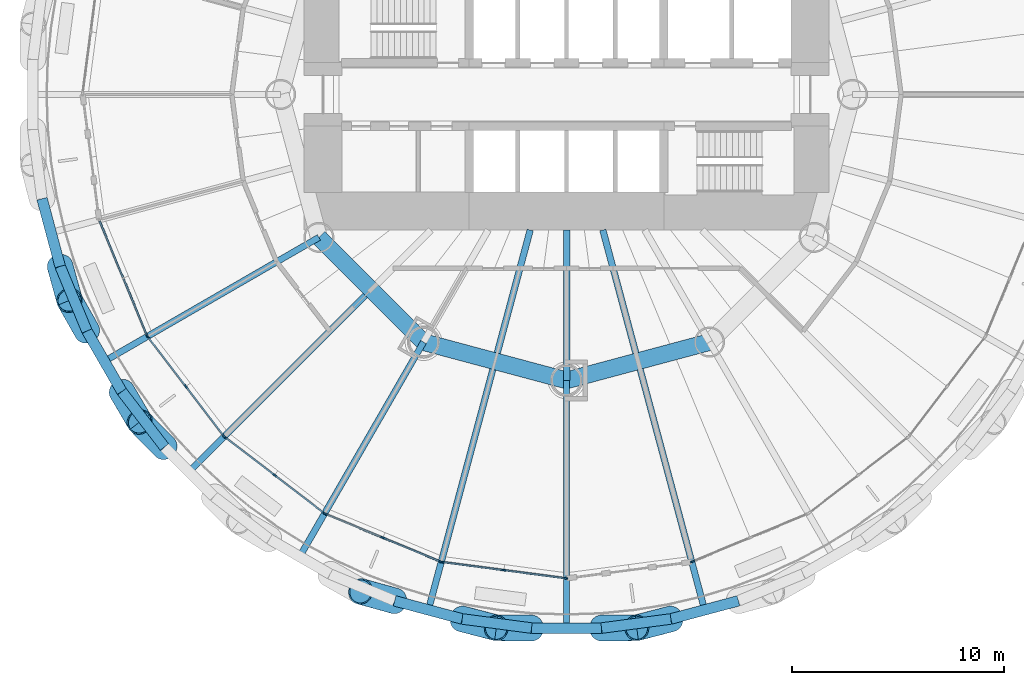
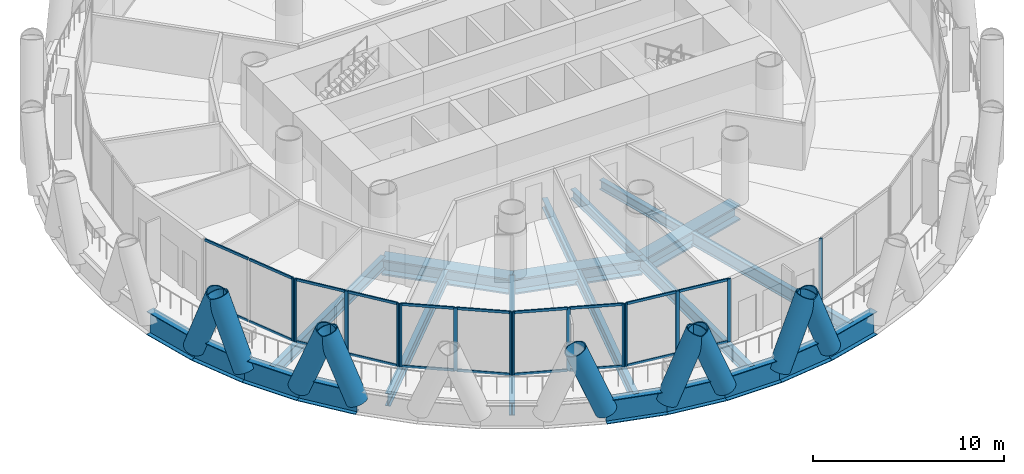
# One storey, part 2 of 16: 43 members, 21 beams, 6 elements without a shape of their own.
"""IFC4 building model written with IfcOpenShell, lengths in metres."""

from ifc_helpers import new_model, si_unit, direction, frame, origin, origin_2d, place, context, subcontext, project, spatial, rectangle, hollow_circle, i_section, extrude, material, material_profile, profile_set, type_object, element, aggregate, save


model = new_model("IFC4")

# Units and contexts
model_context = context("Model", 3, precision=1e-05, world=origin(), true_north=direction((0.0, 1.0)))
body_context = subcontext(model_context, "Body", "Model", "MODEL_VIEW")
ifc_project = project(units=[si_unit("LENGTHUNIT", "METRE"), si_unit("AREAUNIT", "SQUARE_METRE"), si_unit("VOLUMEUNIT", "CUBIC_METRE"), si_unit("PLANEANGLEUNIT", "RADIAN"), si_unit("MASSUNIT", "GRAM", prefix="KILO")], contexts=[model_context])

# Site, building, storey
site_placement = place(None, origin())
site = spatial("IfcSite", under=ifc_project, at=site_placement, CompositionType="ELEMENT")
building_placement = place(site_placement, origin())
building = spatial("IfcBuilding", under=site, at=building_placement, Name="Qaws Media Tower", CompositionType="ELEMENT")
storey_placement = place(building_placement, frame((0.0, 0.0, 63.800048828125)))
storey = spatial("IfcBuildingStorey", under=building, at=storey_placement, Name="L13", CompositionType="ELEMENT", Elevation=63.800048828125)

# Curtain wall, member
ifc_material_1 = material(Name="Aluminium and clear glass", Category="aluminium")
curtain_wall_type = type_object("IfcCurtainWallType", Name="Unitised curtain wall CW-A", PredefinedType="NOTDEFINED", material=ifc_material_1)
curtain_wall_1_placement = place(storey_placement, origin())
curtain_wall_1 = element("IfcCurtainWall", 1, at=curtain_wall_1_placement, inside=storey, type_object=curtain_wall_type, Name="CWA curtain wall L13-14", PredefinedType="NOTDEFINED")
ifc_material_2 = material(Name="Aluminium mullion", Category="aluminium")
ifc_material_profile_1 = material_profile(ifc_material_2, rectangle(XDim=0.080078125, YDim=0.199951171875, at=origin_2d()), Name="80x200")
ifc_profile_set_1 = profile_set([ifc_material_profile_1], Name="Aluminium mullion")
member_type_1 = type_object("IfcMemberType", Name="Curtain wall mullion 80x200", PredefinedType="MULLION", material=ifc_profile_set_1)
member_1_placement = place(storey_placement, frame((40.196044921875, 38.612060546875, 0.0), z_axis=(0.0, 0.0, 1.0), x_axis=(0.923879516448, 0.382683471145, 0.0)))
member_1 = element("IfcMember", 2, at=member_1_placement, type_object=member_type_1, Name="CWA mullion 3", PredefinedType="MULLION", context=body_context, shape_type="SweptSolid", body=[
    extrude(rectangle(XDim=0.080078125, YDim=0.199951171875, at=origin_2d()), origin(), (0.0, 0.0, 1.0), 4.0400390625),
])

# Curtain wall, members
curtain_wall_2_placement = place(storey_placement, origin())
curtain_wall_2 = element("IfcCurtainWall", 3, at=curtain_wall_2_placement, inside=storey, type_object=curtain_wall_type, Name="CWA curtain wall L13-15", PredefinedType="NOTDEFINED")
member_2_placement = place(storey_placement, frame((40.235595703125, 38.543212890625, 0.0), z_axis=(0.0, 0.0, 1.0), x_axis=(0.79335338601, 0.608761369427, 0.0)))
member_2 = element("IfcMember", 4, at=member_2_placement, type_object=member_type_1, Name="CWA mullion 1", PredefinedType="MULLION", context=body_context, shape_type="SweptSolid", body=[
    extrude(rectangle(XDim=0.080078125, YDim=0.199951171875, at=origin_2d()), origin(), (0.0, 0.0, 1.0), 4.0400390625),
])
member_3_placement = place(storey_placement, frame((42.02685546875, 36.208740234375, 0.0), z_axis=(0.0, 0.0, 1.0), x_axis=(0.79335338601, 0.608761369427, 0.0)))
member_3 = element("IfcMember", 5, at=member_3_placement, type_object=member_type_1, Name="CWA mullion 2", PredefinedType="MULLION", context=body_context, shape_type="SweptSolid", body=[
    extrude(rectangle(XDim=0.080078125, YDim=0.199951171875, at=origin_2d()), origin(), (0.0, 0.0, 1.0), 4.0400390625),
])
member_4_placement = place(storey_placement, frame((43.818359375, 33.874267578125, 0.0), z_axis=(0.0, 0.0, 1.0), x_axis=(0.79335338601, 0.608761369427, 0.0)))
member_4 = element("IfcMember", 6, at=member_4_placement, type_object=member_type_1, Name="CWA mullion 3", PredefinedType="MULLION", context=body_context, shape_type="SweptSolid", body=[
    extrude(rectangle(XDim=0.080078125, YDim=0.199951171875, at=origin_2d()), origin(), (0.0, 0.0, 1.0), 4.0400390625),
])

curtain_wall_3_placement = place(storey_placement, origin())
curtain_wall_3 = element("IfcCurtainWall", 7, at=curtain_wall_3_placement, inside=storey, type_object=curtain_wall_type, Name="CWA curtain wall L13-16", PredefinedType="NOTDEFINED")
member_5_placement = place(storey_placement, frame((43.874267578125, 33.818359375, 0.0), z_axis=(0.0, 0.0, 1.0), x_axis=(0.608761369427, 0.79335338601, 0.0)))
member_5 = element("IfcMember", 8, at=member_5_placement, type_object=member_type_1, Name="CWA mullion 1", PredefinedType="MULLION", context=body_context, shape_type="SweptSolid", body=[
    extrude(rectangle(XDim=0.080078125, YDim=0.199951171875, at=origin_2d()), origin(), (0.0, 0.0, 1.0), 4.0400390625),
])
member_6_placement = place(storey_placement, frame((46.208740234375, 32.02685546875, 0.0), z_axis=(0.0, 0.0, 1.0), x_axis=(0.608761369427, 0.79335338601, 0.0)))
member_6 = element("IfcMember", 9, at=member_6_placement, type_object=member_type_1, Name="CWA mullion 2", PredefinedType="MULLION", context=body_context, shape_type="SweptSolid", body=[
    extrude(rectangle(XDim=0.080078125, YDim=0.199951171875, at=origin_2d()), origin(), (0.0, 0.0, 1.0), 4.0400390625),
])
member_7_placement = place(storey_placement, frame((48.543212890625, 30.235595703125, 0.0), z_axis=(0.0, 0.0, 1.0), x_axis=(0.608761369427, 0.79335338601, 0.0)))
member_7 = element("IfcMember", 10, at=member_7_placement, type_object=member_type_1, Name="CWA mullion 3", PredefinedType="MULLION", context=body_context, shape_type="SweptSolid", body=[
    extrude(rectangle(XDim=0.080078125, YDim=0.199951171875, at=origin_2d()), origin(), (0.0, 0.0, 1.0), 4.0400390625),
])

curtain_wall_4_placement = place(storey_placement, origin())
curtain_wall_4 = element("IfcCurtainWall", 11, at=curtain_wall_4_placement, inside=storey, type_object=curtain_wall_type, Name="CWA curtain wall L13-17", PredefinedType="NOTDEFINED")
member_8_placement = place(storey_placement, frame((48.612060546875, 30.196044921875, 0.0), z_axis=(0.0, 0.0, 1.0), x_axis=(0.382683471145, 0.923879516448, 0.0)))
member_8 = element("IfcMember", 12, at=member_8_placement, type_object=member_type_1, Name="CWA mullion 1", PredefinedType="MULLION", context=body_context, shape_type="SweptSolid", body=[
    extrude(rectangle(XDim=0.080078125, YDim=0.199951171875, at=origin_2d()), origin(), (0.0, 0.0, 1.0), 4.0400390625),
])
member_9_placement = place(storey_placement, frame((51.33056640625, 29.070068359375, 0.0), z_axis=(0.0, 0.0, 1.0), x_axis=(0.382683471145, 0.923879516448, 0.0)))
member_9 = element("IfcMember", 13, at=member_9_placement, type_object=member_type_1, Name="CWA mullion 2", PredefinedType="MULLION", context=body_context, shape_type="SweptSolid", body=[
    extrude(rectangle(XDim=0.080078125, YDim=0.199951171875, at=origin_2d()), origin(), (0.0, 0.0, 1.0), 4.0400390625),
])
member_10_placement = place(storey_placement, frame((54.049072265625, 27.94384765625, 0.0), z_axis=(0.0, 0.0, 1.0), x_axis=(0.382683471145, 0.923879516448, 0.0)))
member_10 = element("IfcMember", 14, at=member_10_placement, type_object=member_type_1, Name="CWA mullion 3", PredefinedType="MULLION", context=body_context, shape_type="SweptSolid", body=[
    extrude(rectangle(XDim=0.080078125, YDim=0.199951171875, at=origin_2d()), origin(), (0.0, 0.0, 1.0), 4.0400390625),
])

curtain_wall_5_placement = place(storey_placement, origin())
curtain_wall_5 = element("IfcCurtainWall", 15, at=curtain_wall_5_placement, inside=storey, type_object=curtain_wall_type, Name="CWA curtain wall L13-18", PredefinedType="NOTDEFINED")
member_11_placement = place(storey_placement, frame((54.125732421875, 27.92333984375, 0.0), z_axis=(0.0, 0.0, 1.0), x_axis=(0.130526217674, 0.991444858023, 0.0)))
member_11 = element("IfcMember", 16, at=member_11_placement, type_object=member_type_1, Name="CWA mullion 1", PredefinedType="MULLION", context=body_context, shape_type="SweptSolid", body=[
    extrude(rectangle(XDim=0.080078125, YDim=0.199951171875, at=origin_2d()), origin(), (0.0, 0.0, 1.0), 4.0400390625),
])
member_12_placement = place(storey_placement, frame((57.04296875, 27.539306640625, 0.0), z_axis=(0.0, 0.0, 1.0), x_axis=(0.130526217674, 0.991444858023, 0.0)))
member_12 = element("IfcMember", 17, at=member_12_placement, type_object=member_type_1, Name="CWA mullion 2", PredefinedType="MULLION", context=body_context, shape_type="SweptSolid", body=[
    extrude(rectangle(XDim=0.080078125, YDim=0.199951171875, at=origin_2d()), origin(), (0.0, 0.0, 1.0), 4.0400390625),
])
member_13_placement = place(storey_placement, frame((59.96044921875, 27.1552734375, 0.0), z_axis=(0.0, 0.0, 1.0), x_axis=(0.130526217674, 0.991444858023, 0.0)))
member_13 = element("IfcMember", 18, at=member_13_placement, type_object=member_type_1, Name="CWA mullion 3", PredefinedType="MULLION", context=body_context, shape_type="SweptSolid", body=[
    extrude(rectangle(XDim=0.080078125, YDim=0.199951171875, at=origin_2d()), origin(), (0.0, 0.0, 1.0), 4.0400390625),
])

# Curtain wall, member
curtain_wall_6_placement = place(storey_placement, origin())
curtain_wall_6 = element("IfcCurtainWall", 19, at=curtain_wall_6_placement, inside=storey, type_object=curtain_wall_type, Name="CWA curtain wall L13-20", PredefinedType="NOTDEFINED")
member_14_placement = place(storey_placement, frame((65.950927734375, 27.94384765625, 0.0), z_axis=(0.0, 0.0, 1.0), x_axis=(-0.382683471145, 0.923879516448, 0.0)))
member_14 = element("IfcMember", 20, at=member_14_placement, type_object=member_type_1, Name="CWA mullion 1", PredefinedType="MULLION", context=body_context, shape_type="SweptSolid", body=[
    extrude(rectangle(XDim=0.080078125, YDim=0.199951171875, at=origin_2d()), origin(), (0.0, 0.0, 1.0), 4.0400390625),
])
aggregate(curtain_wall_6, [member_14])

# Member
ifc_material_3 = material(Name="Aluminium transom", Category="aluminium")
ifc_material_profile_2 = material_profile(ifc_material_3, rectangle(XDim=0.080078125, YDim=0.159912109375, at=origin_2d()), Name="80x160")
ifc_profile_set_2 = profile_set([ifc_material_profile_2], Name="Aluminium transom")
member_type_2 = type_object("IfcMemberType", Name="Curtain wall transom 80x160", PredefinedType="USERDEFINED", material=ifc_profile_set_2)
member_15_placement = place(storey_placement, frame((37.959228515625, 44.011962890625, 0.0400390625), z_axis=(0.382700809207, -0.923872334596, 0.0), x_axis=(0.923872334596, 0.382700809207, 0.0)))
member_15 = element("IfcMember", 21, at=member_15_placement, type_object=member_type_2, Name="CWA transom 1.1", ObjectType="TRANSOM", PredefinedType="USERDEFINED", context=body_context, shape_type="SweptSolid", body=[
    extrude(rectangle(XDim=0.080078125, YDim=0.159912109375, at=origin_2d()), origin(), (0.0, 0.0, 1.0), 2.862548828125),
])

member_16_placement = place(storey_placement, frame((37.959228515625, 44.011962890625, 4.0), z_axis=(0.382700809207, -0.923872334596, 0.0), x_axis=(0.923872334596, 0.382700809207, 0.0)))
member_16 = element("IfcMember", 22, at=member_16_placement, type_object=member_type_2, Name="CWA transom 1.2", ObjectType="TRANSOM", PredefinedType="USERDEFINED", context=body_context, shape_type="SweptSolid", body=[
    extrude(rectangle(XDim=0.080078125, YDim=0.159912109375, at=origin_2d()), origin(), (0.0, 0.0, 1.0), 2.862548828125),
])

member_17_placement = place(storey_placement, frame((39.085205078125, 41.29345703125, 0.0400390625), z_axis=(0.382700809207, -0.923872334596, 0.0), x_axis=(0.923872334596, 0.382700809207, 0.0)))
member_17 = element("IfcMember", 23, at=member_17_placement, type_object=member_type_2, Name="CWA transom 2.1", ObjectType="TRANSOM", PredefinedType="USERDEFINED", context=body_context, shape_type="SweptSolid", body=[
    extrude(rectangle(XDim=0.080078125, YDim=0.159912109375, at=origin_2d()), origin(), (0.0, 0.0, 1.0), 2.862548828125),
])

member_18_placement = place(storey_placement, frame((39.085205078125, 41.29345703125, 4.0), z_axis=(0.382700809207, -0.923872334596, 0.0), x_axis=(0.923872334596, 0.382700809207, 0.0)))
member_18 = element("IfcMember", 24, at=member_18_placement, type_object=member_type_2, Name="CWA transom 2.2", ObjectType="TRANSOM", PredefinedType="USERDEFINED", context=body_context, shape_type="SweptSolid", body=[
    extrude(rectangle(XDim=0.080078125, YDim=0.159912109375, at=origin_2d()), origin(), (0.0, 0.0, 1.0), 2.862548828125),
])

aggregate(curtain_wall_1, [member_1, member_15, member_16, member_17, member_18])

member_19_placement = place(storey_placement, frame((40.260009765625, 38.511474609375, 0.0400390625), z_axis=(0.608778840543, -0.793339979648, 0.0), x_axis=(0.793339979648, 0.608778840543, 0.0)))
member_19 = element("IfcMember", 25, at=member_19_placement, type_object=member_type_2, Name="CWA transom 1.1", ObjectType="TRANSOM", PredefinedType="USERDEFINED", context=body_context, shape_type="SweptSolid", body=[
    extrude(rectangle(XDim=0.080078125, YDim=0.159912109375, at=origin_2d()), origin(), (0.0, 0.0, 1.0), 2.862548828125),
])

member_20_placement = place(storey_placement, frame((40.260009765625, 38.511474609375, 4.0), z_axis=(0.608778840543, -0.793339979648, 0.0), x_axis=(0.793339979648, 0.608778840543, 0.0)))
member_20 = element("IfcMember", 26, at=member_20_placement, type_object=member_type_2, Name="CWA transom 1.2", ObjectType="TRANSOM", PredefinedType="USERDEFINED", context=body_context, shape_type="SweptSolid", body=[
    extrude(rectangle(XDim=0.080078125, YDim=0.159912109375, at=origin_2d()), origin(), (0.0, 0.0, 1.0), 2.862548828125),
])

member_21_placement = place(storey_placement, frame((42.05126953125, 36.177001953125, 0.0400390625), z_axis=(0.608778840543, -0.793339979648, 0.0), x_axis=(0.793339979648, 0.608778840543, 0.0)))
member_21 = element("IfcMember", 27, at=member_21_placement, type_object=member_type_2, Name="CWA transom 2.1", ObjectType="TRANSOM", PredefinedType="USERDEFINED", context=body_context, shape_type="SweptSolid", body=[
    extrude(rectangle(XDim=0.080078125, YDim=0.159912109375, at=origin_2d()), origin(), (0.0, 0.0, 1.0), 2.862548828125),
])

member_22_placement = place(storey_placement, frame((42.05126953125, 36.177001953125, 4.0), z_axis=(0.608778840543, -0.793339979648, 0.0), x_axis=(0.793339979648, 0.608778840543, 0.0)))
member_22 = element("IfcMember", 28, at=member_22_placement, type_object=member_type_2, Name="CWA transom 2.2", ObjectType="TRANSOM", PredefinedType="USERDEFINED", context=body_context, shape_type="SweptSolid", body=[
    extrude(rectangle(XDim=0.080078125, YDim=0.159912109375, at=origin_2d()), origin(), (0.0, 0.0, 1.0), 2.862548828125),
])

aggregate(curtain_wall_2, [member_2, member_3, member_4, member_19, member_20, member_21, member_22])

member_23_placement = place(storey_placement, frame((43.906005859375, 33.7939453125, 0.0400390625), z_axis=(0.793339979648, -0.608778840543, 0.0), x_axis=(0.608778840543, 0.793339979648, 0.0)))
member_23 = element("IfcMember", 29, at=member_23_placement, type_object=member_type_2, Name="CWA transom 1.1", ObjectType="TRANSOM", PredefinedType="USERDEFINED", context=body_context, shape_type="SweptSolid", body=[
    extrude(rectangle(XDim=0.080078125, YDim=0.159912109375, at=origin_2d()), origin(), (0.0, 0.0, 1.0), 2.862548828125),
])

member_24_placement = place(storey_placement, frame((43.906005859375, 33.7939453125, 4.0), z_axis=(0.793339979648, -0.608778840543, 0.0), x_axis=(0.608778840543, 0.793339979648, 0.0)))
member_24 = element("IfcMember", 30, at=member_24_placement, type_object=member_type_2, Name="CWA transom 1.2", ObjectType="TRANSOM", PredefinedType="USERDEFINED", context=body_context, shape_type="SweptSolid", body=[
    extrude(rectangle(XDim=0.080078125, YDim=0.159912109375, at=origin_2d()), origin(), (0.0, 0.0, 1.0), 2.862548828125),
])

member_25_placement = place(storey_placement, frame((46.240478515625, 32.002685546875, 0.0400390625), z_axis=(0.793339979648, -0.608778840543, 0.0), x_axis=(0.608778840543, 0.793339979648, 0.0)))
member_25 = element("IfcMember", 31, at=member_25_placement, type_object=member_type_2, Name="CWA transom 2.1", ObjectType="TRANSOM", PredefinedType="USERDEFINED", context=body_context, shape_type="SweptSolid", body=[
    extrude(rectangle(XDim=0.080078125, YDim=0.159912109375, at=origin_2d()), origin(), (0.0, 0.0, 1.0), 2.862548828125),
])

member_26_placement = place(storey_placement, frame((46.240478515625, 32.002685546875, 4.0), z_axis=(0.793339979648, -0.608778840543, 0.0), x_axis=(0.608778840543, 0.793339979648, 0.0)))
member_26 = element("IfcMember", 32, at=member_26_placement, type_object=member_type_2, Name="CWA transom 2.2", ObjectType="TRANSOM", PredefinedType="USERDEFINED", context=body_context, shape_type="SweptSolid", body=[
    extrude(rectangle(XDim=0.080078125, YDim=0.159912109375, at=origin_2d()), origin(), (0.0, 0.0, 1.0), 2.862548828125),
])

aggregate(curtain_wall_3, [member_5, member_6, member_7, member_23, member_24, member_25, member_26])

member_27_placement = place(storey_placement, frame((48.64892578125, 30.1806640625, 0.0400390625), z_axis=(0.923872334596, -0.382700809207, 0.0), x_axis=(0.382700809207, 0.923872334596, 0.0)))
member_27 = element("IfcMember", 33, at=member_27_placement, type_object=member_type_2, Name="CWA transom 1.1", ObjectType="TRANSOM", PredefinedType="USERDEFINED", context=body_context, shape_type="SweptSolid", body=[
    extrude(rectangle(XDim=0.080078125, YDim=0.159912109375, at=origin_2d()), origin(), (0.0, 0.0, 1.0), 2.862548828125),
])

member_28_placement = place(storey_placement, frame((48.64892578125, 30.1806640625, 4.0), z_axis=(0.923872334596, -0.382700809207, 0.0), x_axis=(0.382700809207, 0.923872334596, 0.0)))
member_28 = element("IfcMember", 34, at=member_28_placement, type_object=member_type_2, Name="CWA transom 1.2", ObjectType="TRANSOM", PredefinedType="USERDEFINED", context=body_context, shape_type="SweptSolid", body=[
    extrude(rectangle(XDim=0.080078125, YDim=0.159912109375, at=origin_2d()), origin(), (0.0, 0.0, 1.0), 2.862548828125),
])

member_29_placement = place(storey_placement, frame((51.367431640625, 29.0546875, 0.0400390625), z_axis=(0.923872334596, -0.382700809207, 0.0), x_axis=(0.382700809207, 0.923872334596, 0.0)))
member_29 = element("IfcMember", 35, at=member_29_placement, type_object=member_type_2, Name="CWA transom 2.1", ObjectType="TRANSOM", PredefinedType="USERDEFINED", context=body_context, shape_type="SweptSolid", body=[
    extrude(rectangle(XDim=0.080078125, YDim=0.159912109375, at=origin_2d()), origin(), (0.0, 0.0, 1.0), 2.862548828125),
])

member_30_placement = place(storey_placement, frame((51.367431640625, 29.0546875, 4.0), z_axis=(0.923872334596, -0.382700809207, 0.0), x_axis=(0.382700809207, 0.923872334596, 0.0)))
member_30 = element("IfcMember", 36, at=member_30_placement, type_object=member_type_2, Name="CWA transom 2.2", ObjectType="TRANSOM", PredefinedType="USERDEFINED", context=body_context, shape_type="SweptSolid", body=[
    extrude(rectangle(XDim=0.080078125, YDim=0.159912109375, at=origin_2d()), origin(), (0.0, 0.0, 1.0), 2.862548828125),
])

aggregate(curtain_wall_4, [member_8, member_9, member_10, member_27, member_28, member_29, member_30])

member_31_placement = place(storey_placement, frame((54.165283203125, 27.918212890625, 0.0400390625), z_axis=(0.991438903663, -0.130571437549, 0.0), x_axis=(0.130571437549, 0.991438903663, 0.0)))
member_31 = element("IfcMember", 37, at=member_31_placement, type_object=member_type_2, Name="CWA transom 1.1", ObjectType="TRANSOM", PredefinedType="USERDEFINED", context=body_context, shape_type="SweptSolid", body=[
    extrude(rectangle(XDim=0.080078125, YDim=0.159912109375, at=origin_2d()), origin(), (0.0, 0.0, 1.0), 2.862548828125),
])

member_32_placement = place(storey_placement, frame((54.165283203125, 27.918212890625, 4.0), z_axis=(0.991438903663, -0.130571437549, 0.0), x_axis=(0.130571437549, 0.991438903663, 0.0)))
member_32 = element("IfcMember", 38, at=member_32_placement, type_object=member_type_2, Name="CWA transom 1.2", ObjectType="TRANSOM", PredefinedType="USERDEFINED", context=body_context, shape_type="SweptSolid", body=[
    extrude(rectangle(XDim=0.080078125, YDim=0.159912109375, at=origin_2d()), origin(), (0.0, 0.0, 1.0), 2.862548828125),
])

member_33_placement = place(storey_placement, frame((57.082763671875, 27.5341796875, 0.0400390625), z_axis=(0.991437449462, -0.130582478934, 0.0), x_axis=(0.130582478934, 0.991437449462, 0.0)))
member_33 = element("IfcMember", 39, at=member_33_placement, type_object=member_type_2, Name="CWA transom 2.1", ObjectType="TRANSOM", PredefinedType="USERDEFINED", context=body_context, shape_type="SweptSolid", body=[
    extrude(rectangle(XDim=0.080078125, YDim=0.159912109375, at=origin_2d()), origin(), (0.0, 0.0, 1.0), 2.8623046875),
])

member_34_placement = place(storey_placement, frame((57.082763671875, 27.5341796875, 4.0), z_axis=(0.991437449462, -0.130582478934, 0.0), x_axis=(0.130582478934, 0.991437449462, 0.0)))
member_34 = element("IfcMember", 40, at=member_34_placement, type_object=member_type_2, Name="CWA transom 2.2", ObjectType="TRANSOM", PredefinedType="USERDEFINED", context=body_context, shape_type="SweptSolid", body=[
    extrude(rectangle(XDim=0.080078125, YDim=0.159912109375, at=origin_2d()), origin(), (0.0, 0.0, 1.0), 2.8623046875),
])

aggregate(curtain_wall_5, [member_11, member_12, member_13, member_31, member_32, member_33, member_34])

# Members
ifc_material_4 = material(Name="Steel S460", Category="steel")
ifc_material_profile_3 = material_profile(ifc_material_4, hollow_circle(Radius=0.609619140625, WallThickness=0.06005859375, at=origin_2d()), Name="CHS 1219x60")
ifc_profile_set_3 = profile_set([ifc_material_profile_3], Name="Steel S460")
member_type_3 = type_object("IfcMemberType", Name="Diagrid member CHS 1219x60", PredefinedType="USERDEFINED", material=ifc_profile_set_3)
for number, where, z_axis, x_axis, name in (
    (41, (36.090087890625, 41.883544921875, -0.91015625), (0.098136755558, -0.354989178007, 0.929705254748), (0.96384720691, 0.266455553014, 0.0), "DG1 diagrid L13 A14"),
    (42, (39.00537109375, 35.971923828125, -0.91015625), (0.186704389496, -0.317532559387, 0.929685185787), (0.86202848257, 0.506859837862, 0.0), "DG1 diagrid L13 A15"),
    (43, (37.35400390625, 38.832275390625, -0.91015625), (-0.1816287215, 0.320403656582, 0.929705600916), (-0.869944554123, -0.493149544005, 0.0), "DG1 diagrid L13 B15"),
    (44, (41.01611328125, 33.3515625, -0.91015625), (-0.25836599958, 0.262473051655, 0.929706893282), (-0.712660482364, -0.701509113894, 0.0), "DG1 diagrid L13 B16"),
    (45, (55.073974609375, 25.235107421875, -0.91015625), (0.356503177963, -0.09246277664, 0.929707544897), (0.251053816316, 0.967973130471, 0.0), "DG1 diagrid L13 A18"),
    (46, (51.883544921875, 26.090087890625, -0.91015625), (-0.354989178007, 0.098136755558, 0.929705254748), (-0.266455553014, -0.96384720691, 0.0), "DG1 diagrid L13 B18"),
    (47, (61.6513671875, 24.803955078125, -0.91015625), (0.368331015728, 0.002972154616, 0.929689963993), (-0.008068986134, 0.999967445201, 0.0), "DG1 diagrid L13 A19"),
    (48, (58.3486328125, 24.803955078125, -0.91015625), (-0.368331015728, 0.002972154616, 0.929689963993), (-0.008068986134, -0.999967445201, 0.0), "DG1 diagrid L13 B19"),
    (49, (64.926025390625, 25.235107421875, -0.91015625), (-0.356503177963, -0.09246277664, 0.929707544897), (0.251053816316, -0.967973130471, 0.0), "DG1 diagrid L13 B20"),
):
    element("IfcMember", number, at=place(storey_placement, frame(where, z_axis=z_axis, x_axis=x_axis)), inside=storey, type_object=member_type_3, Name=name, ObjectType="DIAGRID", PredefinedType="USERDEFINED", context=body_context, shape_type="SweptSolid", body=[
        extrude(hollow_circle(Radius=0.609619140625, WallThickness=0.06005859375, at=origin_2d()), origin(), (0.0, 0.0, 1.0), 4.517822265625),
    ])

# Beams
ifc_material_5 = material(Name="Steel S460", Category="steel")
ifc_material_profile_4 = material_profile(ifc_material_5, i_section(OverallWidth=0.5, OverallDepth=1.5, WebThickness=0.02001953125, FlangeThickness=0.0400390625, at=origin_2d()), Name="PG 1500x500")
ifc_profile_set_4 = profile_set([ifc_material_profile_4], Name="Steel S460")
beam_type_1 = type_object("IfcBeamType", Name="Edge ring beam PG 1500x500", PredefinedType="BEAM", material=ifc_profile_set_4)
beam_1_placement = place(storey_placement, frame((35.235107421875, 45.073974609375, -0.91015625), z_axis=(0.258849385643, -0.965917696055, 0.0), x_axis=(0.965917696055, 0.258849385643, 0.0)))
element("IfcBeam", 50, at=beam_1_placement, inside=storey, type_object=beam_type_1, Name="RB4 edge ring beam L13-26", PredefinedType="BEAM", context=body_context, shape_type="SweptSolid", body=[
    extrude(i_section(OverallWidth=0.5, OverallDepth=1.5, WebThickness=0.02001953125, FlangeThickness=0.0400390625, at=origin_2d()), origin(), (0.0, 0.0, 1.0), 3.302978515625),
])
for number, where, z_axis, x_axis, name in (
    (51, (36.090087890625, 41.883544921875, -0.91015625), (0.382693458177, -0.92387537962, 0.0), (0.92387537962, 0.382693458177, 0.0), "RB4 edge ring beam L13-27"),
    (52, (37.35400390625, 38.832275390625, -0.91015625), (0.499986929959, -0.866032949645, 0.0), (0.866032949645, 0.499986929959, 0.0), "RB4 edge ring beam L13-28"),
):
    element("IfcBeam", number, at=place(storey_placement, frame(where, z_axis=z_axis, x_axis=x_axis)), inside=storey, type_object=beam_type_1, Name=name, PredefinedType="BEAM", context=body_context, shape_type="SweptSolid", body=[
        extrude(i_section(OverallWidth=0.5, OverallDepth=1.5, WebThickness=0.02001953125, FlangeThickness=0.0400390625, at=origin_2d()), origin(), (0.0, 0.0, 1.0), 3.302734375),
    ])
for number, where, z_axis, x_axis, name in (
    (53, (39.00537109375, 35.971923828125, -0.91015625), (0.608774429392, -0.793343364577, 0.0), (0.793343364577, 0.608774429392, 0.0), "RB4 edge ring beam L13-29"),
    (54, (51.883544921875, 26.090087890625, -0.91015625), (0.965917696055, -0.258849385643, 0.0), (0.258849385643, 0.965917696055, 0.0), "RB4 edge ring beam L13-34"),
    (55, (55.073974609375, 25.235107421875, -0.91015625), (0.991443473841, -0.130536731142, 0.0), (0.130536731142, 0.991443473841, 0.0), "RB4 edge ring beam L13-35"),
):
    element("IfcBeam", number, at=place(storey_placement, frame(where, z_axis=z_axis, x_axis=x_axis)), inside=storey, type_object=beam_type_1, Name=name, PredefinedType="BEAM", context=body_context, shape_type="SweptSolid", body=[
        extrude(i_section(OverallWidth=0.5, OverallDepth=1.5, WebThickness=0.02001953125, FlangeThickness=0.0400390625, at=origin_2d()), origin(), (0.0, 0.0, 1.0), 3.302978515625),
    ])
beam_2_placement = place(storey_placement, frame((58.3486328125, 24.803955078125, -0.91015625), z_axis=(1.0, 0.0, 0.0), x_axis=(0.0, 1.0, 0.0)))
element("IfcBeam", 56, at=beam_2_placement, inside=storey, type_object=beam_type_1, Name="RB4 edge ring beam L13-36", PredefinedType="BEAM", context=body_context, shape_type="SweptSolid", body=[
    extrude(i_section(OverallWidth=0.5, OverallDepth=1.5, WebThickness=0.02001953125, FlangeThickness=0.0400390625, at=origin_2d()), origin(), (0.0, 0.0, 1.0), 3.302734375),
])
for number, where, z_axis, x_axis, name in (
    (57, (61.6513671875, 24.803955078125, -0.91015625), (0.991443473841, 0.130536731142, 0.0), (-0.130536731142, 0.991443473841, 0.0), "RB4 edge ring beam L13-37"),
    (58, (64.926025390625, 25.235107421875, -0.91015625), (0.965917696055, 0.258849385643, 0.0), (-0.258849385643, 0.965917696055, 0.0), "RB4 edge ring beam L13-38"),
):
    element("IfcBeam", number, at=place(storey_placement, frame(where, z_axis=z_axis, x_axis=x_axis)), inside=storey, type_object=beam_type_1, Name=name, PredefinedType="BEAM", context=body_context, shape_type="SweptSolid", body=[
        extrude(i_section(OverallWidth=0.5, OverallDepth=1.5, WebThickness=0.02001953125, FlangeThickness=0.0400390625, at=origin_2d()), origin(), (0.0, 0.0, 1.0), 3.302978515625),
    ])
ifc_material_6 = material(Name="Steel S460", Category="steel")
ifc_material_profile_5 = material_profile(ifc_material_6, i_section(OverallWidth=0.800048828125, OverallDepth=1.0, WebThickness=0.0400390625, FlangeThickness=0.10009765625, at=origin_2d()), Name="PG 1000x800")
ifc_profile_set_5 = profile_set([ifc_material_profile_5], Name="Steel S460")
beam_type_2 = type_object("IfcBeamType", Name="Inner ring girder PG 1000x800", PredefinedType="BEAM", material=ifc_profile_set_5)
beam_3_placement = place(storey_placement, frame((48.30859375, 43.25, -0.66015625), z_axis=(0.707106781187, -0.707106781187, 0.0), x_axis=(0.707106781187, 0.707106781187, 0.0)))
element("IfcBeam", 59, at=beam_3_placement, inside=storey, type_object=beam_type_2, Name="B3 inner ring beam L13 I08-I09", PredefinedType="BEAM", context=body_context, shape_type="SweptSolid", body=[
    extrude(i_section(OverallWidth=0.800048828125, OverallDepth=1.0, WebThickness=0.0400390625, FlangeThickness=0.10009765625, at=origin_2d()), origin(), (0.0, 0.0, 1.0), 6.98828125),
])
for number, where, z_axis, x_axis, name in (
    (60, (53.25, 38.30859375, -0.66015625), (0.965928090778, -0.258810593767, 0.0), (0.258810593767, 0.965928090778, 0.0), "B3 inner ring beam L13 I09-I10"),
    (61, (60.0, 36.5, -0.66015625), (0.965928090778, 0.258810593767, 0.0), (-0.258810593767, 0.965928090778, 0.0), "B3 inner ring beam L13 I10-I11"),
):
    element("IfcBeam", number, at=place(storey_placement, frame(where, z_axis=z_axis, x_axis=x_axis)), inside=storey, type_object=beam_type_2, Name=name, PredefinedType="BEAM", context=body_context, shape_type="SweptSolid", body=[
        extrude(i_section(OverallWidth=0.800048828125, OverallDepth=1.0, WebThickness=0.0400390625, FlangeThickness=0.10009765625, at=origin_2d()), origin(), (0.0, 0.0, 1.0), 6.988037109375),
    ])
ifc_material_7 = material(Name="Steel S355", Category="steel")
ifc_material_profile_6 = material_profile(ifc_material_7, i_section(OverallWidth=0.304931640625, OverallDepth=0.6201171875, WebThickness=0.02099609375, FlangeThickness=0.0400390625, FilletRadius=0.027099609375, at=origin_2d()), Name="HE 600 M")
ifc_profile_set_6 = profile_set([ifc_material_profile_6], Name="Steel S355")
beam_type_3 = type_object("IfcBeamType", Name="Radial beam HE 600 M, core side", PredefinedType="BEAM", material=ifc_profile_set_6)
beam_4_placement = place(storey_placement, frame((58.28515625, 43.60009765625, -0.469970703125), z_axis=(-0.258824687089, -0.965924314506, 0.0), x_axis=(0.965924314506, -0.258824687089, 0.0)))
element("IfcBeam", 62, at=beam_4_placement, inside=storey, type_object=beam_type_3, Name="B2 radial beam L13 18", PredefinedType="BEAM", context=body_context, shape_type="SweptSolid", body=[
    extrude(i_section(OverallWidth=0.304931640625, OverallDepth=0.6201171875, WebThickness=0.02099609375, FlangeThickness=0.0400390625, FilletRadius=0.027099609375, at=origin_2d()), origin(), (0.0, 0.0, 1.0), 6.01416015625),
])
beam_5_placement = place(storey_placement, frame((60.0, 43.60009765625, -0.469970703125), z_axis=(0.0, -1.0, 0.0), x_axis=(1.0, 0.0, 0.0)))
element("IfcBeam", 63, at=beam_5_placement, inside=storey, type_object=beam_type_3, Name="B2 radial beam L13 19", PredefinedType="BEAM", context=body_context, shape_type="SweptSolid", body=[
    extrude(i_section(OverallWidth=0.304931640625, OverallDepth=0.6201171875, WebThickness=0.02099609375, FlangeThickness=0.0400390625, FilletRadius=0.027099609375, at=origin_2d()), origin(), (0.0, 0.0, 1.0), 7.10009765625),
])
beam_6_placement = place(storey_placement, frame((61.71484375, 43.60009765625, -0.469970703125), z_axis=(0.258824687089, -0.965924314506, 0.0), x_axis=(0.965924314506, 0.258824687089, 0.0)))
element("IfcBeam", 64, at=beam_6_placement, inside=storey, type_object=beam_type_3, Name="B2 radial beam L13 20", PredefinedType="BEAM", context=body_context, shape_type="SweptSolid", body=[
    extrude(i_section(OverallWidth=0.304931640625, OverallDepth=0.6201171875, WebThickness=0.02099609375, FlangeThickness=0.0400390625, FilletRadius=0.027099609375, at=origin_2d()), origin(), (0.0, 0.0, 1.0), 6.01416015625),
])
ifc_material_8 = material(Name="Steel S355", Category="steel")
ifc_material_profile_7 = material_profile(ifc_material_8, i_section(OverallWidth=0.300048828125, OverallDepth=0.800048828125, WebThickness=0.017578125, FlangeThickness=0.032958984375, FilletRadius=0.030029296875, at=origin_2d()), Name="HE 800 B")
ifc_profile_set_7 = profile_set([ifc_material_profile_7], Name="Steel S355")
beam_type_4 = type_object("IfcBeamType", Name="Radial beam HE 800 B", PredefinedType="BEAM", material=ifc_profile_set_7)
beam_7_placement = place(storey_placement, frame((48.30859375, 43.25, -0.56005859375), z_axis=(-0.866026379682, -0.499998309692, 0.0), x_axis=(0.499998309692, -0.866026379682, 0.0)))
element("IfcBeam", 65, at=beam_7_placement, inside=storey, type_object=beam_type_4, Name="B1 radial beam L13 15", PredefinedType="BEAM", context=body_context, shape_type="SweptSolid", body=[
    extrude(i_section(OverallWidth=0.300048828125, OverallDepth=0.800048828125, WebThickness=0.017578125, FlangeThickness=0.032958984375, FilletRadius=0.030029296875, at=origin_2d()), origin(), (0.0, 0.0, 1.0), 11.69580078125),
])
beam_8_placement = place(storey_placement, frame((50.49658203125, 40.49658203125, -0.56005859375), z_axis=(-0.707106781187, -0.707106781187, 0.0), x_axis=(0.707106781187, -0.707106781187, 0.0)))
element("IfcBeam", 66, at=beam_8_placement, inside=storey, type_object=beam_type_4, Name="B1 radial beam L13 16", PredefinedType="BEAM", context=body_context, shape_type="SweptSolid", body=[
    extrude(i_section(OverallWidth=0.300048828125, OverallDepth=0.800048828125, WebThickness=0.017578125, FlangeThickness=0.032958984375, FilletRadius=0.030029296875, at=origin_2d()), origin(), (0.0, 0.0, 1.0), 11.756103515625),
])
beam_9_placement = place(storey_placement, frame((53.25, 38.30859375, -0.56005859375), z_axis=(-0.499998309692, -0.866026379682, 0.0), x_axis=(0.866026379682, -0.499998309692, 0.0)))
element("IfcBeam", 67, at=beam_9_placement, inside=storey, type_object=beam_type_4, Name="B1 radial beam L13 17", PredefinedType="BEAM", context=body_context, shape_type="SweptSolid", body=[
    extrude(i_section(OverallWidth=0.300048828125, OverallDepth=0.800048828125, WebThickness=0.017578125, FlangeThickness=0.032958984375, FilletRadius=0.030029296875, at=origin_2d()), origin(), (0.0, 0.0, 1.0), 11.69580078125),
])
beam_10_placement = place(storey_placement, frame((56.521484375, 37.01806640625, -0.56005859375), z_axis=(-0.258821896518, -0.96592506225, 0.0), x_axis=(0.96592506225, -0.258821896518, 0.0)))
element("IfcBeam", 68, at=beam_10_placement, inside=storey, type_object=beam_type_4, Name="B1 radial beam L13 18", PredefinedType="BEAM", context=body_context, shape_type="SweptSolid", body=[
    extrude(i_section(OverallWidth=0.300048828125, OverallDepth=0.800048828125, WebThickness=0.017578125, FlangeThickness=0.032958984375, FilletRadius=0.030029296875, at=origin_2d()), origin(), (0.0, 0.0, 1.0), 11.756103515625),
])
beam_11_placement = place(storey_placement, frame((60.0, 36.5, -0.56005859375), z_axis=(0.0, -1.0, 0.0), x_axis=(1.0, 0.0, 0.0)))
element("IfcBeam", 69, at=beam_11_placement, inside=storey, type_object=beam_type_4, Name="B1 radial beam L13 19", PredefinedType="BEAM", context=body_context, shape_type="SweptSolid", body=[
    extrude(i_section(OverallWidth=0.300048828125, OverallDepth=0.800048828125, WebThickness=0.017578125, FlangeThickness=0.032958984375, FilletRadius=0.030029296875, at=origin_2d()), origin(), (0.0, 0.0, 1.0), 11.696044921875),
])
beam_12_placement = place(storey_placement, frame((63.478515625, 37.01806640625, -0.56005859375), z_axis=(0.258821896518, -0.96592506225, 0.0), x_axis=(0.96592506225, 0.258821896518, 0.0)))
element("IfcBeam", 70, at=beam_12_placement, inside=storey, type_object=beam_type_4, Name="B1 radial beam L13 20", PredefinedType="BEAM", context=body_context, shape_type="SweptSolid", body=[
    extrude(i_section(OverallWidth=0.300048828125, OverallDepth=0.800048828125, WebThickness=0.017578125, FlangeThickness=0.032958984375, FilletRadius=0.030029296875, at=origin_2d()), origin(), (0.0, 0.0, 1.0), 11.756103515625),
])

save(model, "model.ifc")
